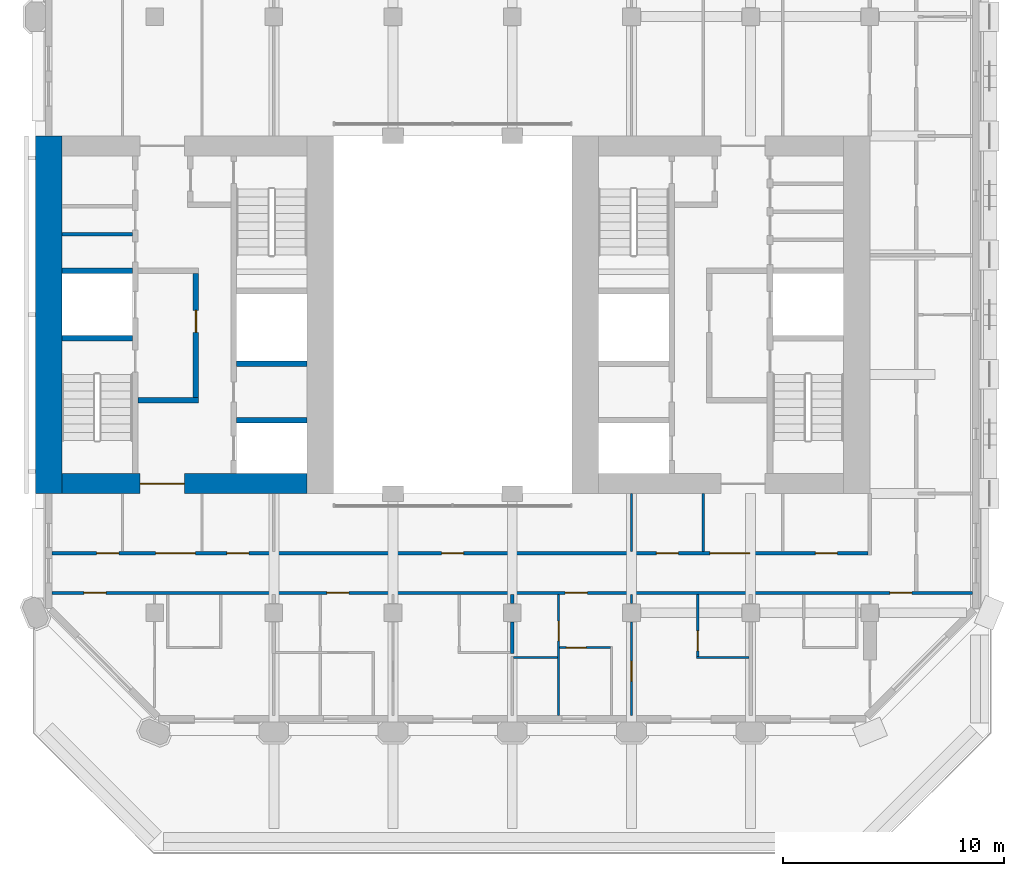
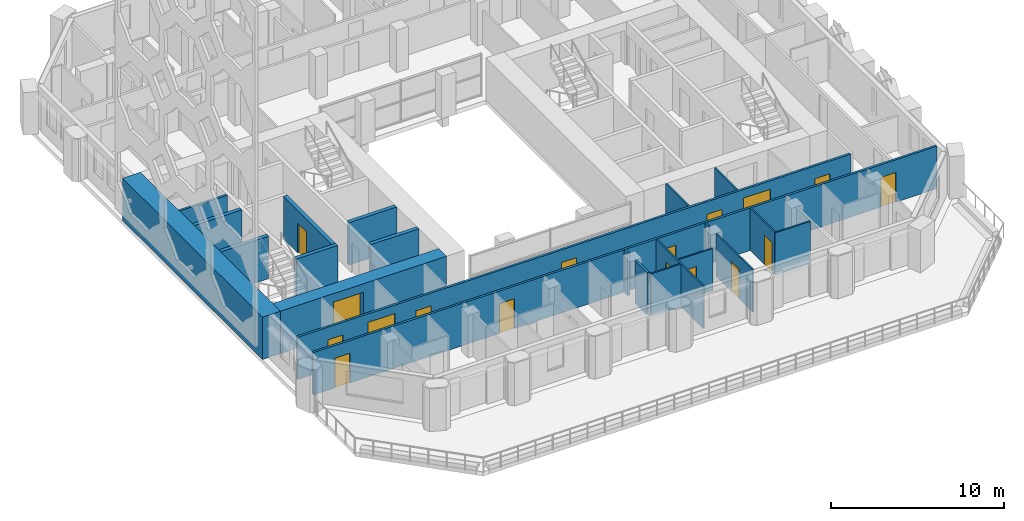
# One storey, part 9 of 17: 22 walls, 17 doors, 17 openings.
"""IFC4 building model written with IfcOpenShell, lengths in metres."""

from ifc_helpers import new_model, si_unit, direction, frame, frame_2d, origin, place, context, subcontext, project, spatial, rectangle, extrude, material, layer, layer_set, type_object, element, fill, save


model = new_model("IFC4")

# Units and contexts
model_context = context("Model", 3, precision=1e-05, world=origin(), true_north=direction((0.0, 1.0)))
body_context = subcontext(model_context, "Body", "Model", "MODEL_VIEW")
ifc_project = project(units=[si_unit("LENGTHUNIT", "METRE"), si_unit("AREAUNIT", "SQUARE_METRE"), si_unit("VOLUMEUNIT", "CUBIC_METRE"), si_unit("PLANEANGLEUNIT", "RADIAN"), si_unit("MASSUNIT", "GRAM", prefix="KILO")], contexts=[model_context])

# Site, building, storey
site_placement = place(None, origin())
site = spatial("IfcSite", under=ifc_project, at=site_placement, CompositionType="ELEMENT")
building_placement = place(site_placement, origin())
building = spatial("IfcBuilding", under=site, at=building_placement, Name="Tabaq Tower and Sports Hall", CompositionType="ELEMENT")
storey_placement = place(building_placement, frame((0.0, 0.0, 180.699951171875)))
storey = spatial("IfcBuildingStorey", under=building, at=storey_placement, Name="L43", CompositionType="ELEMENT", Elevation=180.699951171875)

# Walls
ifc_material_1 = material(Name="Blockwork", Category="masonry")
ifc_layer_1 = layer(ifc_material_1, 0.14990234375)
ifc_layer_set_1 = layer_set([ifc_layer_1], Name="Core room partition 150 Blockwork")
wall_type_1 = type_object("IfcWallType", Name="Core room partition 150 Blockwork", PredefinedType="PARTITIONING", material=ifc_layer_set_1)
wall_1_placement = place(storey_placement, frame((6.60009765625, 27.947998046875, 0.0), z_axis=(0.0, 0.0, 1.0), x_axis=(1.0, 0.0, 0.0)))
element("IfcWall", 1, at=wall_1_placement, inside=storey, type_object=wall_type_1, Name="Core room partition W L43", PredefinedType="PARTITIONING", context=body_context, shape_type="SweptSolid", body=[
    extrude(rectangle(XDim=3.199951171875, YDim=0.14990234375, at=frame_2d((1.60009765625, 0.0))), origin(), (0.0, 0.0, 1.0), 3.0),
])
ifc_material_2 = material(Name="Concrete C50/60", Category="concrete")
ifc_layer_2 = layer(ifc_material_2, 1.199951171875)
ifc_layer_set_2 = layer_set([ifc_layer_2], Name="Core wall 1200 Concrete C50/60")
wall_type_2 = type_object("IfcWallType", Name="Core wall 1200 Concrete C50/60", PredefinedType="SOLIDWALL", material=ifc_layer_set_2)
wall_2_placement = place(storey_placement, frame((6.0, 16.199951171875, 0.0), z_axis=(0.0, 0.0, 1.0), x_axis=(0.0, 1.0, 0.0)))
element("IfcWall", 2, at=wall_2_placement, inside=storey, type_object=wall_type_2, Name="Core wall W L43", PredefinedType="SOLIDWALL", context=body_context, shape_type="SweptSolid", body=[
    extrude(rectangle(XDim=16.199951171875, YDim=1.199951171875, at=frame_2d((8.10009765625, 0.0))), origin(), (0.0, 0.0, 1.0), 3.0),
])

# Wall, opening, door
ifc_material_3 = material(Name="Concrete C50/60", Category="concrete")
ifc_layer_3 = layer(ifc_material_3, 0.89990234375)
ifc_layer_set_3 = layer_set([ifc_layer_3], Name="Core wall 900 Concrete C50/60")
wall_type_3 = type_object("IfcWallType", Name="Core wall 900 Concrete C50/60", PredefinedType="SOLIDWALL", material=ifc_layer_set_3)
wall_3_placement = place(storey_placement, frame((17.699951171875, 16.64990234375, 0.0), z_axis=(0.0, 0.0, 1.0), x_axis=(-1.0, 0.0, 0.0)))
wall_3 = element("IfcWall", 3, at=wall_3_placement, inside=storey, type_object=wall_type_3, Name="Core wall W L43", PredefinedType="SOLIDWALL", context=body_context, shape_type="SweptSolid", body=[
    extrude(rectangle(XDim=11.099853515625, YDim=0.89990234375, at=frame_2d((5.5498046875, 0.0))), origin(), (0.0, 0.0, 1.0), 3.0),
])
opening_1_placement = place(wall_3_placement, frame((5.550048828125, 0.0, 0.0)))
opening_1 = element("IfcOpeningElement", 4, at=opening_1_placement, cuts=wall_3, Name="Opening PD-WL43-01", PredefinedType="OPENING", context=body_context, shape_type="SweptSolid", body=[
    extrude(rectangle(XDim=2.0, YDim=2.39990234375, at=frame_2d((1.0, 1.199951171875))), frame((0.0, 0.449951171875, 0.0), z_axis=(0.0, -1.0, 0.0), x_axis=(1.0, 0.0, 0.0)), (0.0, 0.0, 1.0), 0.89990234375),
])
ifc_material_4 = material(Name="Steel fire door", Category="steel")
door_type_1 = type_object("IfcDoorType", Name="Core entrance door 2000", OperationType="DOUBLE_DOOR_SINGLE_SWING", PredefinedType="DOOR", material=ifc_material_4)
door_1_placement = place(opening_1_placement, origin())
door_1 = element("IfcDoor", 5, at=door_1_placement, inside=storey, type_object=door_type_1, Name="Core entrance south W L43", OperationType="DOUBLE_DOOR_SINGLE_SWING", OverallHeight=2.39990234375, OverallWidth=2.0, PredefinedType="DOOR", context=body_context, shape_type="SweptSolid", body=[
    extrude(rectangle(XDim=2.0, YDim=2.39990234375, at=frame_2d((1.0, 1.199951171875))), frame((0.0, 0.02490234375, 0.0), z_axis=(0.0, -1.0, 0.0), x_axis=(1.0, 0.0, 0.0)), (0.0, 0.0, 1.0), 0.050048828125),
])
fill(opening_1, door_1)

# Wall
ifc_material_5 = material(Name="Gypsum board on steel studs", Category="steel")
ifc_layer_4 = layer(ifc_material_5, 0.10009765625)
ifc_layer_set_4 = layer_set([ifc_layer_4], Name="Partition 100 Gypsum board")
wall_type_4 = type_object("IfcWallType", Name="Partition 100 Gypsum board", PredefinedType="PARTITIONING", material=ifc_layer_set_4)
wall_4_placement = place(storey_placement, frame((32.39990234375, 11.625, 0.0), z_axis=(0.0, 0.0, 1.0), x_axis=(0.0, -1.0, 0.0)))
element("IfcWall", 6, at=wall_4_placement, inside=storey, type_object=wall_type_4, Name="Partition wall L43", PredefinedType="PARTITIONING", context=body_context, shape_type="SweptSolid", body=[
    extrude(rectangle(XDim=0.405029296875, YDim=0.10009765625, at=frame_2d((0.20263671875, 0.0))), origin(), (0.0, 0.0, 1.0), 3.0),
])

# Wall, opening, door
wall_5_placement = place(storey_placement, frame((32.39990234375, 10.3798828125, 0.0), z_axis=(0.0, 0.0, 1.0), x_axis=(0.0, -1.0, 0.0)))
wall_5 = element("IfcWall", 7, at=wall_5_placement, inside=storey, type_object=wall_type_4, Name="Partition wall L43", PredefinedType="PARTITIONING", context=body_context, shape_type="SweptSolid", body=[
    extrude(rectangle(XDim=4.22900390625, YDim=0.10009765625, at=frame_2d((2.114501953125, 0.0))), origin(), (0.0, 0.0, 1.0), 3.0),
])
opening_2_placement = place(wall_5_placement, frame((1.780029296875, 0.0, 0.0)))
opening_2 = element("IfcOpeningElement", 8, at=opening_2_placement, cuts=wall_5, Name="Opening L43-043", PredefinedType="OPENING", context=body_context, shape_type="SweptSolid", body=[
    extrude(rectangle(XDim=0.89990234375, YDim=2.10009765625, at=frame_2d((0.449951171875, 1.050048828125))), frame((0.0, 0.050048828125, 0.0), z_axis=(0.0, -1.0, 0.0), x_axis=(1.0, 0.0, 0.0)), (0.0, 0.0, 1.0), 0.10009765625),
])
ifc_material_6 = material(Name="Timber leaf in steel frame", Category="steel")
door_type_2 = type_object("IfcDoorType", Name="Internal door 900 right hand", OperationType="SINGLE_SWING_RIGHT", PredefinedType="DOOR", material=ifc_material_6)
door_2_placement = place(opening_2_placement, origin())
door_2 = element("IfcDoor", 9, at=door_2_placement, inside=storey, type_object=door_type_2, Name="Internal door L43-043", OperationType="SINGLE_SWING_RIGHT", OverallHeight=2.10009765625, OverallWidth=0.89990234375, PredefinedType="DOOR", context=body_context, shape_type="SweptSolid", body=[
    extrude(rectangle(XDim=0.89990234375, YDim=2.10009765625, at=frame_2d((0.449951171875, 1.050048828125))), frame((0.0, 0.02490234375, 0.0), z_axis=(0.0, -1.0, 0.0), x_axis=(1.0, 0.0, 0.0)), (0.0, 0.0, 1.0), 0.050048828125),
])
fill(opening_2, door_2)

# Wall
wall_6_placement = place(storey_placement, frame((37.72509765625, 8.77490234375, 0.0), z_axis=(0.0, 0.0, 1.0), x_axis=(-1.0, 0.0, 0.0)))
element("IfcWall", 10, at=wall_6_placement, inside=storey, type_object=wall_type_4, Name="Partition wall L43", PredefinedType="PARTITIONING", context=body_context, shape_type="SweptSolid", body=[
    extrude(rectangle(XDim=2.375, YDim=0.10009765625, at=frame_2d((1.1875, 0.0))), origin(), (0.0, 0.0, 1.0), 3.0),
])

# Wall, opening, door
wall_7_placement = place(storey_placement, frame((35.39990234375, 8.824951171875, 0.0), z_axis=(0.0, 0.0, 1.0), x_axis=(0.0, 1.0, 0.0)))
wall_7 = element("IfcWall", 11, at=wall_7_placement, inside=storey, type_object=wall_type_4, Name="Partition wall L43", PredefinedType="PARTITIONING", context=body_context, shape_type="SweptSolid", body=[
    extrude(rectangle(XDim=2.800048828125, YDim=0.10009765625, at=frame_2d((1.39990234375, 0.0))), origin(), (0.0, 0.0, 1.0), 3.0),
])
opening_3_placement = place(wall_7_placement, frame((0.25, 0.0, 0.0)))
opening_3 = element("IfcOpeningElement", 12, at=opening_3_placement, cuts=wall_7, Name="Opening L43-020", PredefinedType="OPENING", context=body_context, shape_type="SweptSolid", body=[
    extrude(rectangle(XDim=0.89990234375, YDim=2.10009765625, at=frame_2d((0.449951171875, 1.050048828125))), frame((0.0, 0.050048828125, 0.0), z_axis=(0.0, -1.0, 0.0), x_axis=(1.0, 0.0, 0.0)), (0.0, 0.0, 1.0), 0.10009765625),
])
ifc_material_7 = material(Name="Timber leaf in steel frame", Category="steel")
door_type_3 = type_object("IfcDoorType", Name="Internal door 900 left hand", OperationType="SINGLE_SWING_LEFT", PredefinedType="DOOR", material=ifc_material_7)
door_3_placement = place(opening_3_placement, origin())
door_3 = element("IfcDoor", 13, at=door_3_placement, inside=storey, type_object=door_type_3, Name="Internal door L43-020", OperationType="SINGLE_SWING_LEFT", OverallHeight=2.10009765625, OverallWidth=0.89990234375, PredefinedType="DOOR", context=body_context, shape_type="SweptSolid", body=[
    extrude(rectangle(XDim=0.89990234375, YDim=2.10009765625, at=frame_2d((0.449951171875, 1.050048828125))), frame((0.0, 0.02490234375, 0.0), z_axis=(0.0, -1.0, 0.0), x_axis=(1.0, 0.0, 0.0)), (0.0, 0.0, 1.0), 0.050048828125),
])
fill(opening_3, door_3)

# Wall
wall_8_placement = place(storey_placement, frame((27.050048828125, 8.77490234375, 0.0), z_axis=(0.0, 0.0, 1.0), x_axis=(1.0, 0.0, 0.0)))
element("IfcWall", 14, at=wall_8_placement, inside=storey, type_object=wall_type_4, Name="Partition wall L43", PredefinedType="PARTITIONING", context=body_context, shape_type="SweptSolid", body=[
    extrude(rectangle(XDim=2.0, YDim=0.10009765625, at=frame_2d((1.0, 0.0))), origin(), (0.0, 0.0, 1.0), 3.0),
])

# Wall, opening, door
wall_9_placement = place(storey_placement, frame((29.10009765625, 6.15087890625, 0.0), z_axis=(0.0, 0.0, 1.0), x_axis=(0.0, 1.0, 0.0)))
wall_9 = element("IfcWall", 15, at=wall_9_placement, inside=storey, type_object=wall_type_4, Name="Partition wall L43", PredefinedType="PARTITIONING", context=body_context, shape_type="SweptSolid", body=[
    extrude(rectangle(XDim=5.47412109375, YDim=0.10009765625, at=frame_2d((2.737060546875, 0.0))), origin(), (0.0, 0.0, 1.0), 3.0),
])
opening_4_placement = place(wall_9_placement, frame((3.3740234375, 0.0, 0.0)))
opening_4 = element("IfcOpeningElement", 16, at=opening_4_placement, cuts=wall_9, Name="Opening L43-021", PredefinedType="OPENING", context=body_context, shape_type="SweptSolid", body=[
    extrude(rectangle(XDim=0.89990234375, YDim=2.10009765625, at=frame_2d((0.449951171875, 1.050048828125))), frame((0.0, 0.050048828125, 0.0), z_axis=(0.0, -1.0, 0.0), x_axis=(1.0, 0.0, 0.0)), (0.0, 0.0, 1.0), 0.10009765625),
])
door_4_placement = place(opening_4_placement, origin())
door_4 = element("IfcDoor", 17, at=door_4_placement, inside=storey, type_object=door_type_2, Name="Internal door L43-021", OperationType="SINGLE_SWING_RIGHT", OverallHeight=2.10009765625, OverallWidth=0.89990234375, PredefinedType="DOOR", context=body_context, shape_type="SweptSolid", body=[
    extrude(rectangle(XDim=0.89990234375, YDim=2.10009765625, at=frame_2d((0.449951171875, 1.050048828125))), frame((0.0, 0.02490234375, 0.0), z_axis=(0.0, -1.0, 0.0), x_axis=(1.0, 0.0, 0.0)), (0.0, 0.0, 1.0), 0.050048828125),
])
fill(opening_4, door_4)

wall_10_placement = place(storey_placement, frame((29.14990234375, 9.22509765625, 0.0), z_axis=(0.0, 0.0, 1.0), x_axis=(1.0, 0.0, 0.0)))
wall_10 = element("IfcWall", 18, at=wall_10_placement, inside=storey, type_object=wall_type_4, Name="Partition wall L43", PredefinedType="PARTITIONING", context=body_context, shape_type="SweptSolid", body=[
    extrude(rectangle(XDim=2.300048828125, YDim=0.10009765625, at=frame_2d((1.14990234375, 0.0))), origin(), (0.0, 0.0, 1.0), 3.0),
])
opening_5_placement = place(wall_10_placement, frame((0.300048828125, 0.0, 0.0)))
opening_5 = element("IfcOpeningElement", 19, at=opening_5_placement, cuts=wall_10, Name="Opening L43-022", PredefinedType="OPENING", context=body_context, shape_type="SweptSolid", body=[
    extrude(rectangle(XDim=0.89990234375, YDim=2.10009765625, at=frame_2d((0.449951171875, 1.050048828125))), frame((0.0, 0.050048828125, 0.0), z_axis=(0.0, -1.0, 0.0), x_axis=(1.0, 0.0, 0.0)), (0.0, 0.0, 1.0), 0.10009765625),
])
door_5_placement = place(opening_5_placement, origin())
door_5 = element("IfcDoor", 20, at=door_5_placement, inside=storey, type_object=door_type_3, Name="Internal door L43-022", OperationType="SINGLE_SWING_LEFT", OverallHeight=2.10009765625, OverallWidth=0.89990234375, PredefinedType="DOOR", context=body_context, shape_type="SweptSolid", body=[
    extrude(rectangle(XDim=0.89990234375, YDim=2.10009765625, at=frame_2d((0.449951171875, 1.050048828125))), frame((0.0, 0.02490234375, 0.0), z_axis=(0.0, -1.0, 0.0), x_axis=(1.0, 0.0, 0.0)), (0.0, 0.0, 1.0), 0.050048828125),
])
fill(opening_5, door_5)

# Walls
for number, where, z_axis, x_axis, name in (
    (21, (32.39990234375, 13.574951171875, 0.0), (0.0, 0.0, 1.0), (0.0, 1.0, 0.0), "Partition wall L43"),
    (22, (35.64990234375, 16.199951171875, 0.0), (0.0, 0.0, 1.0), (0.0, -1.0, 0.0), "Partition wall L43"),
):
    element("IfcWall", number, at=place(storey_placement, frame(where, z_axis=z_axis, x_axis=x_axis)), inside=storey, type_object=wall_type_4, Name=name, PredefinedType="PARTITIONING", context=body_context, shape_type="SweptSolid", body=[
        extrude(rectangle(XDim=2.625, YDim=0.10009765625, at=frame_2d((1.3125, 0.0))), origin(), (0.0, 0.0, 1.0), 3.0),
    ])
ifc_material_8 = material(Name="Blockwork", Category="masonry")
ifc_layer_5 = layer(ifc_material_8, 0.14990234375)
ifc_layer_set_5 = layer_set([ifc_layer_5], Name="Separating wall 150 Blockwork")
wall_type_5 = type_object("IfcWallType", Name="Separating wall 150 Blockwork", PredefinedType="PARTITIONING", material=ifc_layer_set_5)
wall_11_placement = place(storey_placement, frame((27.0, 8.949951171875, 0.0), z_axis=(0.0, 0.0, 1.0), x_axis=(0.0, 1.0, 0.0)))
element("IfcWall", 23, at=wall_11_placement, inside=storey, type_object=wall_type_5, Name="Separating wall L43", PredefinedType="PARTITIONING", context=body_context, shape_type="SweptSolid", body=[
    extrude(rectangle(XDim=1.429931640625, YDim=0.14990234375, at=frame_2d((0.71484375, 0.0))), origin(), (0.0, 0.0, 1.0), 3.0),
])
wall_12_placement = place(storey_placement, frame((27.0, 11.219970703125, 0.0), z_axis=(0.0, 0.0, 1.0), x_axis=(0.0, 1.0, 0.0)))
element("IfcWall", 24, at=wall_12_placement, inside=storey, type_object=wall_type_5, Name="Separating wall L43", PredefinedType="PARTITIONING", context=body_context, shape_type="SweptSolid", body=[
    extrude(rectangle(XDim=0.405029296875, YDim=0.14990234375, at=frame_2d((0.20263671875, 0.0))), origin(), (0.0, 0.0, 1.0), 3.0),
])

# Wall, openings, doors
wall_13_placement = place(storey_placement, frame((6.15087890625, 11.699951171875, 0.0), z_axis=(0.0, 0.0, 1.0), x_axis=(1.0, 0.0, 0.0)))
wall_13 = element("IfcWall", 25, at=wall_13_placement, inside=storey, type_object=wall_type_5, Name="Separating wall L43", PredefinedType="PARTITIONING", context=body_context, shape_type="SweptSolid", body=[
    extrude(rectangle(XDim=41.6982421875, YDim=0.14990234375, at=frame_2d((20.84912109375, 0.0))), origin(), (0.0, 0.0, 1.0), 3.0),
])
opening_6_placement = place(wall_13_placement, frame((1.448974609375, 0.0, 0.0)))
opening_6 = element("IfcOpeningElement", 26, at=opening_6_placement, cuts=wall_13, Name="Opening L43-048", PredefinedType="OPENING", context=body_context, shape_type="SweptSolid", body=[
    extrude(rectangle(XDim=1.0, YDim=2.10009765625, at=frame_2d((0.5, 1.050048828125))), frame((0.0, 0.074951171875, 0.0), z_axis=(0.0, -1.0, 0.0), x_axis=(1.0, 0.0, 0.0)), (0.0, 0.0, 1.0), 0.14990234375),
])
opening_7_placement = place(wall_13_placement, frame((37.9541015625, 0.0, 0.0)))
opening_7 = element("IfcOpeningElement", 27, at=opening_7_placement, cuts=wall_13, Name="Opening L43-049", PredefinedType="OPENING", context=body_context, shape_type="SweptSolid", body=[
    extrude(rectangle(XDim=1.0, YDim=2.10009765625, at=frame_2d((0.5, 1.050048828125))), frame((0.0, 0.074951171875, 0.0), z_axis=(0.0, -1.0, 0.0), x_axis=(1.0, 0.0, 0.0)), (0.0, 0.0, 1.0), 0.14990234375),
])
opening_8_placement = place(wall_13_placement, frame((12.448974609375, 0.0, 0.0)))
opening_8 = element("IfcOpeningElement", 28, at=opening_8_placement, cuts=wall_13, Name="Opening L43-050", PredefinedType="OPENING", context=body_context, shape_type="SweptSolid", body=[
    extrude(rectangle(XDim=1.0, YDim=2.10009765625, at=frame_2d((0.5, 1.050048828125))), frame((0.0, 0.074951171875, 0.0), z_axis=(0.0, -1.0, 0.0), x_axis=(1.0, 0.0, 0.0)), (0.0, 0.0, 1.0), 0.14990234375),
])
opening_9_placement = place(wall_13_placement, frame((23.2490234375, 0.0, 0.0)))
opening_9 = element("IfcOpeningElement", 29, at=opening_9_placement, cuts=wall_13, Name="Opening L43-051", PredefinedType="OPENING", context=body_context, shape_type="SweptSolid", body=[
    extrude(rectangle(XDim=1.0, YDim=2.10009765625, at=frame_2d((0.5, 1.050048828125))), frame((0.0, 0.074951171875, 0.0), z_axis=(0.0, -1.0, 0.0), x_axis=(1.0, 0.0, 0.0)), (0.0, 0.0, 1.0), 0.14990234375),
])
ifc_material_9 = material(Name="Steel fire door", Category="steel")
door_type_4 = type_object("IfcDoorType", Name="Entrance door 1000 left hand", OperationType="SINGLE_SWING_LEFT", PredefinedType="DOOR", material=ifc_material_9)
door_6_placement = place(opening_8_placement, origin())
door_6 = element("IfcDoor", 30, at=door_6_placement, inside=storey, type_object=door_type_4, Name="Entrance door L43-050", OperationType="SINGLE_SWING_LEFT", OverallHeight=2.10009765625, OverallWidth=1.0, PredefinedType="DOOR", context=body_context, shape_type="SweptSolid", body=[
    extrude(rectangle(XDim=1.0, YDim=2.10009765625, at=frame_2d((0.5, 1.050048828125))), frame((0.0, 0.02490234375, 0.0), z_axis=(0.0, -1.0, 0.0), x_axis=(1.0, 0.0, 0.0)), (0.0, 0.0, 1.0), 0.050048828125),
])
fill(opening_8, door_6)
door_7_placement = place(opening_9_placement, origin())
door_7 = element("IfcDoor", 31, at=door_7_placement, inside=storey, type_object=door_type_4, Name="Entrance door L43-051", OperationType="SINGLE_SWING_LEFT", OverallHeight=2.10009765625, OverallWidth=1.0, PredefinedType="DOOR", context=body_context, shape_type="SweptSolid", body=[
    extrude(rectangle(XDim=1.0, YDim=2.10009765625, at=frame_2d((0.5, 1.050048828125))), frame((0.0, 0.02490234375, 0.0), z_axis=(0.0, -1.0, 0.0), x_axis=(1.0, 0.0, 0.0)), (0.0, 0.0, 1.0), 0.050048828125),
])
fill(opening_9, door_7)
ifc_material_10 = material(Name="Steel fire door", Category="steel")
door_type_5 = type_object("IfcDoorType", Name="Entrance door 1000 right hand", OperationType="SINGLE_SWING_RIGHT", PredefinedType="DOOR", material=ifc_material_10)
door_8_placement = place(opening_6_placement, origin())
door_8 = element("IfcDoor", 32, at=door_8_placement, inside=storey, type_object=door_type_5, Name="Entrance door L43-048", OperationType="SINGLE_SWING_RIGHT", OverallHeight=2.10009765625, OverallWidth=1.0, PredefinedType="DOOR", context=body_context, shape_type="SweptSolid", body=[
    extrude(rectangle(XDim=1.0, YDim=2.10009765625, at=frame_2d((0.5, 1.050048828125))), frame((0.0, 0.02490234375, 0.0), z_axis=(0.0, -1.0, 0.0), x_axis=(1.0, 0.0, 0.0)), (0.0, 0.0, 1.0), 0.050048828125),
])
fill(opening_6, door_8)
door_9_placement = place(opening_7_placement, origin())
door_9 = element("IfcDoor", 33, at=door_9_placement, inside=storey, type_object=door_type_5, Name="Entrance door L43-049", OperationType="SINGLE_SWING_RIGHT", OverallHeight=2.10009765625, OverallWidth=1.0, PredefinedType="DOOR", context=body_context, shape_type="SweptSolid", body=[
    extrude(rectangle(XDim=1.0, YDim=2.10009765625, at=frame_2d((0.5, 1.050048828125))), frame((0.0, 0.02490234375, 0.0), z_axis=(0.0, -1.0, 0.0), x_axis=(1.0, 0.0, 0.0)), (0.0, 0.0, 1.0), 0.050048828125),
])
fill(opening_7, door_9)

wall_14_placement = place(storey_placement, frame((6.15087890625, 13.5, 0.0), z_axis=(0.0, 0.0, 1.0), x_axis=(1.0, 0.0, 0.0)))
wall_14 = element("IfcWall", 34, at=wall_14_placement, inside=storey, type_object=wall_type_5, Name="Separating wall L43", PredefinedType="PARTITIONING", context=body_context, shape_type="SweptSolid", body=[
    extrude(rectangle(XDim=36.97412109375, YDim=0.14990234375, at=frame_2d((18.487060546875, 0.0))), origin(), (0.0, 0.0, 1.0), 3.0),
])
opening_10_placement = place(wall_14_placement, frame((17.64892578125, 0.0, 0.0)))
opening_10 = element("IfcOpeningElement", 35, at=opening_10_placement, cuts=wall_14, Name="Opening L43-024", PredefinedType="OPENING", context=body_context, shape_type="SweptSolid", body=[
    extrude(rectangle(XDim=1.0, YDim=2.10009765625, at=frame_2d((0.5, 1.050048828125))), frame((0.0, 0.074951171875, 0.0), z_axis=(0.0, -1.0, 0.0), x_axis=(1.0, 0.0, 0.0)), (0.0, 0.0, 1.0), 0.14990234375),
])
opening_11_placement = place(wall_14_placement, frame((2.029052734375, 0.0, 0.0)))
opening_11 = element("IfcOpeningElement", 36, at=opening_11_placement, cuts=wall_14, Name="Opening L43-026", PredefinedType="OPENING", context=body_context, shape_type="SweptSolid", body=[
    extrude(rectangle(XDim=1.0, YDim=2.10009765625, at=frame_2d((0.5, 1.050048828125))), frame((0.0, 0.074951171875, 0.0), z_axis=(0.0, -1.0, 0.0), x_axis=(1.0, 0.0, 0.0)), (0.0, 0.0, 1.0), 0.14990234375),
])
opening_12_placement = place(wall_14_placement, frame((27.3740234375, 0.0, 0.0)))
opening_12 = element("IfcOpeningElement", 37, at=opening_12_placement, cuts=wall_14, Name="Opening L43-027", PredefinedType="OPENING", context=body_context, shape_type="SweptSolid", body=[
    extrude(rectangle(XDim=1.0, YDim=2.10009765625, at=frame_2d((0.5, 1.050048828125))), frame((0.0, 0.074951171875, 0.0), z_axis=(0.0, -1.0, 0.0), x_axis=(1.0, 0.0, 0.0)), (0.0, 0.0, 1.0), 0.14990234375),
])
opening_13_placement = place(wall_14_placement, frame((34.573974609375, 0.0, 0.0)))
opening_13 = element("IfcOpeningElement", 38, at=opening_13_placement, cuts=wall_14, Name="Opening L43-028", PredefinedType="OPENING", context=body_context, shape_type="SweptSolid", body=[
    extrude(rectangle(XDim=1.0, YDim=2.10009765625, at=frame_2d((0.5, 1.050048828125))), frame((0.0, 0.074951171875, 0.0), z_axis=(0.0, -1.0, 0.0), x_axis=(1.0, 0.0, 0.0)), (0.0, 0.0, 1.0), 0.14990234375),
])
opening_14_placement = place(wall_14_placement, frame((7.924072265625, 0.0, 0.0)))
opening_14 = element("IfcOpeningElement", 39, at=opening_14_placement, cuts=wall_14, Name="Opening L43-029", PredefinedType="OPENING", context=body_context, shape_type="SweptSolid", body=[
    extrude(rectangle(XDim=1.0, YDim=2.10009765625, at=frame_2d((0.5, 1.050048828125))), frame((0.0, 0.074951171875, 0.0), z_axis=(0.0, -1.0, 0.0), x_axis=(1.0, 0.0, 0.0)), (0.0, 0.0, 1.0), 0.14990234375),
])
opening_15_placement = place(wall_14_placement, frame((4.698974609375, 0.0, 0.0)))
opening_15 = element("IfcOpeningElement", 40, at=opening_15_placement, cuts=wall_14, Name="Opening L43-046", PredefinedType="OPENING", context=body_context, shape_type="SweptSolid", body=[
    extrude(rectangle(XDim=1.800048828125, YDim=2.39990234375, at=frame_2d((0.89990234375, 1.199951171875))), frame((0.0, 0.074951171875, 0.0), z_axis=(0.0, -1.0, 0.0), x_axis=(1.0, 0.0, 0.0)), (0.0, 0.0, 1.0), 0.14990234375),
])
opening_16_placement = place(wall_14_placement, frame((29.799072265625, 0.0, 0.0)))
opening_16 = element("IfcOpeningElement", 41, at=opening_16_placement, cuts=wall_14, Name="Opening L43-047", PredefinedType="OPENING", context=body_context, shape_type="SweptSolid", body=[
    extrude(rectangle(XDim=1.800048828125, YDim=2.39990234375, at=frame_2d((0.89990234375, 1.199951171875))), frame((0.0, 0.074951171875, 0.0), z_axis=(0.0, -1.0, 0.0), x_axis=(1.0, 0.0, 0.0)), (0.0, 0.0, 1.0), 0.14990234375),
])
ifc_material_11 = material(Name="Timber leaf in steel frame", Category="steel")
door_type_6 = type_object("IfcDoorType", Name="Internal door 1000 left hand", OperationType="SINGLE_SWING_LEFT", PredefinedType="DOOR", material=ifc_material_11)
door_10_placement = place(opening_11_placement, origin())
door_10 = element("IfcDoor", 42, at=door_10_placement, inside=storey, type_object=door_type_6, Name="Internal door L43-026", OperationType="SINGLE_SWING_LEFT", OverallHeight=2.10009765625, OverallWidth=1.0, PredefinedType="DOOR", context=body_context, shape_type="SweptSolid", body=[
    extrude(rectangle(XDim=1.0, YDim=2.10009765625, at=frame_2d((0.5, 1.050048828125))), frame((0.0, 0.02490234375, 0.0), z_axis=(0.0, -1.0, 0.0), x_axis=(1.0, 0.0, 0.0)), (0.0, 0.0, 1.0), 0.050048828125),
])
fill(opening_11, door_10)
door_11_placement = place(opening_12_placement, origin())
door_11 = element("IfcDoor", 43, at=door_11_placement, inside=storey, type_object=door_type_6, Name="Internal door L43-027", OperationType="SINGLE_SWING_LEFT", OverallHeight=2.10009765625, OverallWidth=1.0, PredefinedType="DOOR", context=body_context, shape_type="SweptSolid", body=[
    extrude(rectangle(XDim=1.0, YDim=2.10009765625, at=frame_2d((0.5, 1.050048828125))), frame((0.0, 0.02490234375, 0.0), z_axis=(0.0, -1.0, 0.0), x_axis=(1.0, 0.0, 0.0)), (0.0, 0.0, 1.0), 0.050048828125),
])
fill(opening_12, door_11)
ifc_material_12 = material(Name="Timber leaf in steel frame", Category="steel")
door_type_7 = type_object("IfcDoorType", Name="Internal door 1000 right hand", OperationType="SINGLE_SWING_RIGHT", PredefinedType="DOOR", material=ifc_material_12)
door_12_placement = place(opening_10_placement, origin())
door_12 = element("IfcDoor", 44, at=door_12_placement, inside=storey, type_object=door_type_7, Name="Internal door L43-024", OperationType="SINGLE_SWING_RIGHT", OverallHeight=2.10009765625, OverallWidth=1.0, PredefinedType="DOOR", context=body_context, shape_type="SweptSolid", body=[
    extrude(rectangle(XDim=1.0, YDim=2.10009765625, at=frame_2d((0.5, 1.050048828125))), frame((0.0, 0.02490234375, 0.0), z_axis=(0.0, -1.0, 0.0), x_axis=(1.0, 0.0, 0.0)), (0.0, 0.0, 1.0), 0.050048828125),
])
fill(opening_10, door_12)
door_13_placement = place(opening_13_placement, origin())
door_13 = element("IfcDoor", 45, at=door_13_placement, inside=storey, type_object=door_type_7, Name="Internal door L43-028", OperationType="SINGLE_SWING_RIGHT", OverallHeight=2.10009765625, OverallWidth=1.0, PredefinedType="DOOR", context=body_context, shape_type="SweptSolid", body=[
    extrude(rectangle(XDim=1.0, YDim=2.10009765625, at=frame_2d((0.5, 1.050048828125))), frame((0.0, 0.02490234375, 0.0), z_axis=(0.0, -1.0, 0.0), x_axis=(1.0, 0.0, 0.0)), (0.0, 0.0, 1.0), 0.050048828125),
])
fill(opening_13, door_13)
door_14_placement = place(opening_14_placement, origin())
door_14 = element("IfcDoor", 46, at=door_14_placement, inside=storey, type_object=door_type_7, Name="Internal door L43-029", OperationType="SINGLE_SWING_RIGHT", OverallHeight=2.10009765625, OverallWidth=1.0, PredefinedType="DOOR", context=body_context, shape_type="SweptSolid", body=[
    extrude(rectangle(XDim=1.0, YDim=2.10009765625, at=frame_2d((0.5, 1.050048828125))), frame((0.0, 0.02490234375, 0.0), z_axis=(0.0, -1.0, 0.0), x_axis=(1.0, 0.0, 0.0)), (0.0, 0.0, 1.0), 0.050048828125),
])
fill(opening_14, door_14)
ifc_material_13 = material(Name="Timber leaf in steel frame", Category="steel")
door_type_8 = type_object("IfcDoorType", Name="Internal door 1800", OperationType="DOUBLE_DOOR_SINGLE_SWING", PredefinedType="DOOR", material=ifc_material_13)
door_15_placement = place(opening_15_placement, origin())
door_15 = element("IfcDoor", 47, at=door_15_placement, inside=storey, type_object=door_type_8, Name="Internal door L43-046", OperationType="DOUBLE_DOOR_SINGLE_SWING", OverallHeight=2.39990234375, OverallWidth=1.800048828125, PredefinedType="DOOR", context=body_context, shape_type="SweptSolid", body=[
    extrude(rectangle(XDim=1.800048828125, YDim=2.39990234375, at=frame_2d((0.89990234375, 1.199951171875))), frame((0.0, 0.02490234375, 0.0), z_axis=(0.0, -1.0, 0.0), x_axis=(1.0, 0.0, 0.0)), (0.0, 0.0, 1.0), 0.050048828125),
])
fill(opening_15, door_15)
door_16_placement = place(opening_16_placement, origin())
door_16 = element("IfcDoor", 48, at=door_16_placement, inside=storey, type_object=door_type_8, Name="Internal door L43-047", OperationType="DOUBLE_DOOR_SINGLE_SWING", OverallHeight=2.39990234375, OverallWidth=1.800048828125, PredefinedType="DOOR", context=body_context, shape_type="SweptSolid", body=[
    extrude(rectangle(XDim=1.800048828125, YDim=2.39990234375, at=frame_2d((0.89990234375, 1.199951171875))), frame((0.0, 0.02490234375, 0.0), z_axis=(0.0, -1.0, 0.0), x_axis=(1.0, 0.0, 0.0)), (0.0, 0.0, 1.0), 0.050048828125),
])
fill(opening_16, door_16)

# Walls
ifc_material_14 = material(Name="Concrete C40/50", Category="concrete")
ifc_layer_6 = layer(ifc_material_14, 0.25)
ifc_layer_set_6 = layer_set([ifc_layer_6], Name="Shaft and stair wall 250 Concrete C40/50")
wall_type_6 = type_object("IfcWallType", Name="Shaft and stair wall 250 Concrete C40/50", PredefinedType="SOLIDWALL", material=ifc_layer_set_6)
for number, where, z_axis, x_axis, name in (
    (49, (6.60009765625, 23.22509765625, 0.0), (0.0, 0.0, 1.0), (1.0, 0.0, 0.0), "Stair enclosure wall W L43"),
    (50, (14.5, 22.074951171875, 0.0), (0.0, 0.0, 1.0), (1.0, 0.0, 0.0), "Shaft wall W L43"),
    (51, (6.60009765625, 26.300048828125, 0.0), (0.0, 0.0, 1.0), (1.0, 0.0, 0.0), "Shaft wall W L43"),
):
    element("IfcWall", number, at=place(storey_placement, frame(where, z_axis=z_axis, x_axis=x_axis)), inside=storey, type_object=wall_type_6, Name=name, PredefinedType="SOLIDWALL", context=body_context, shape_type="SweptSolid", body=[
        extrude(rectangle(XDim=3.199951171875, YDim=0.25, at=frame_2d((1.60009765625, 0.0))), origin(), (0.0, 0.0, 1.0), 3.0),
    ])
wall_15_placement = place(storey_placement, frame((10.050048828125, 20.425048828125, 0.0), z_axis=(0.0, 0.0, 1.0), x_axis=(1.0, 0.0, 0.0)))
element("IfcWall", 52, at=wall_15_placement, inside=storey, type_object=wall_type_6, Name="Fire-fighting lobby wall W L43", PredefinedType="SOLIDWALL", context=body_context, shape_type="SweptSolid", body=[
    extrude(rectangle(XDim=2.75, YDim=0.25, at=frame_2d((1.375, 0.0))), origin(), (0.0, 0.0, 1.0), 3.0),
])

# Wall, opening, door
wall_16_placement = place(storey_placement, frame((12.675048828125, 20.550048828125, 0.0), z_axis=(0.0, 0.0, 1.0), x_axis=(0.0, 1.0, 0.0)))
wall_16 = element("IfcWall", 53, at=wall_16_placement, inside=storey, type_object=wall_type_6, Name="Fire-fighting lobby wall W L43", PredefinedType="SOLIDWALL", context=body_context, shape_type="SweptSolid", body=[
    extrude(rectangle(XDim=5.625, YDim=0.25, at=frame_2d((2.8125, 0.0))), origin(), (0.0, 0.0, 1.0), 3.0),
])
opening_17_placement = place(wall_16_placement, frame((2.949951171875, 0.0, 0.0)))
opening_17 = element("IfcOpeningElement", 54, at=opening_17_placement, cuts=wall_16, Name="Opening FD-WL43-04", PredefinedType="OPENING", context=body_context, shape_type="SweptSolid", body=[
    extrude(rectangle(XDim=1.0, YDim=2.10009765625, at=frame_2d((0.5, 1.050048828125))), frame((0.0, 0.125, 0.0), z_axis=(0.0, -1.0, 0.0), x_axis=(1.0, 0.0, 0.0)), (0.0, 0.0, 1.0), 0.25),
])
ifc_material_15 = material(Name="Steel fire door", Category="steel")
door_type_9 = type_object("IfcDoorType", Name="Fire-fighting lobby door 1000", OperationType="SINGLE_SWING_LEFT", PredefinedType="DOOR", material=ifc_material_15)
door_17_placement = place(opening_17_placement, origin())
door_17 = element("IfcDoor", 55, at=door_17_placement, inside=storey, type_object=door_type_9, Name="Fire-fighting lobby door W L43", OperationType="SINGLE_SWING_LEFT", OverallHeight=2.10009765625, OverallWidth=1.0, PredefinedType="DOOR", context=body_context, shape_type="SweptSolid", body=[
    extrude(rectangle(XDim=1.0, YDim=2.10009765625, at=frame_2d((0.5, 1.050048828125))), frame((0.0, 0.02490234375, 0.0), z_axis=(0.0, -1.0, 0.0), x_axis=(1.0, 0.0, 0.0)), (0.0, 0.0, 1.0), 0.050048828125),
])
fill(opening_17, door_17)

# Wall
wall_17_placement = place(storey_placement, frame((14.5, 19.52490234375, 0.0), z_axis=(0.0, 0.0, 1.0), x_axis=(1.0, 0.0, 0.0)))
element("IfcWall", 56, at=wall_17_placement, inside=storey, type_object=wall_type_6, Name="Shaft wall W L43", PredefinedType="SOLIDWALL", context=body_context, shape_type="SweptSolid", body=[
    extrude(rectangle(XDim=3.199951171875, YDim=0.25, at=frame_2d((1.60009765625, 0.0))), origin(), (0.0, 0.0, 1.0), 3.0),
])

save(model, "model.ifc")
